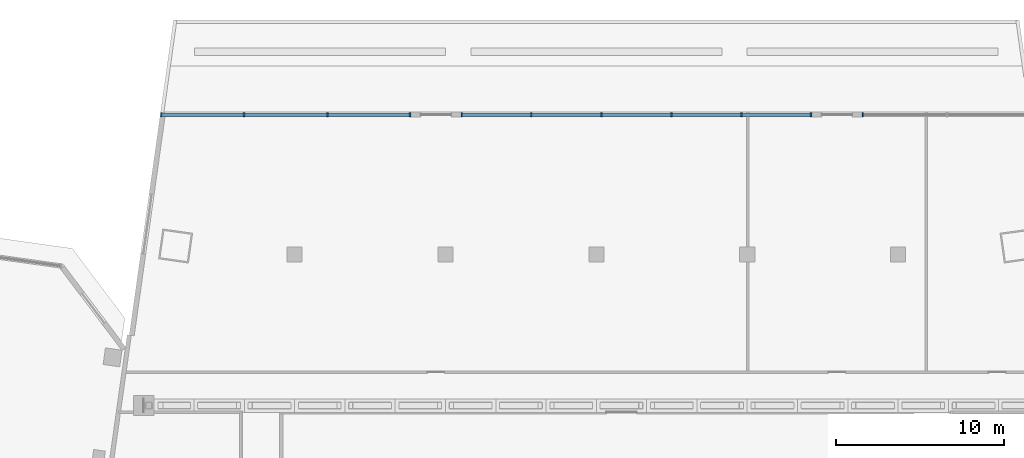
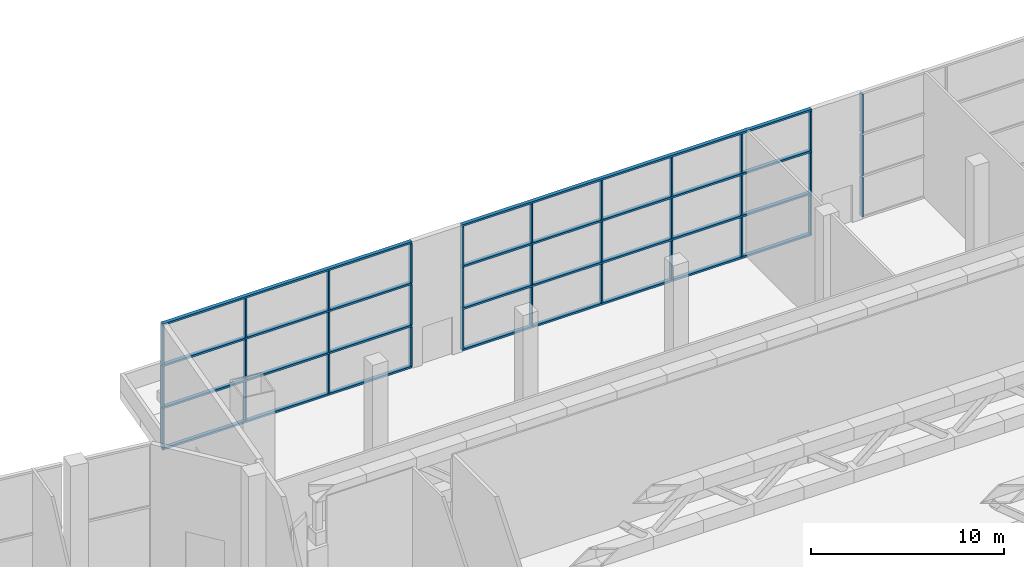
# One storey, part 7 of 31: 41 members, 3 elements without a shape of their own.
"""IFC4 building model written with IfcOpenShell, lengths in metres."""

from ifc_helpers import new_model, si_unit, direction, frame, origin, origin_2d, place, context, subcontext, project, spatial, rectangle, extrude, material, material_profile, profile_set, type_object, element, aggregate, save


model = new_model("IFC4")

# Units and contexts
model_context = context("Model", 3, precision=1e-05, world=origin(), true_north=direction((0.0, 1.0)))
body_context = subcontext(model_context, "Body", "Model", "MODEL_VIEW")
ifc_project = project(units=[si_unit("LENGTHUNIT", "METRE"), si_unit("AREAUNIT", "SQUARE_METRE"), si_unit("VOLUMEUNIT", "CUBIC_METRE"), si_unit("PLANEANGLEUNIT", "RADIAN"), si_unit("MASSUNIT", "GRAM", prefix="KILO")], contexts=[model_context])

# Site, building, storey
site_placement = place(None, origin())
site = spatial("IfcSite", under=ifc_project, at=site_placement, CompositionType="ELEMENT")
building_placement = place(site_placement, origin())
building = spatial("IfcBuilding", under=site, at=building_placement, Name="Mirante Cascada Hotel Towers", CompositionType="ELEMENT")
storey_placement = place(building_placement, frame((0.0, 0.0, 9.0)))
storey = spatial("IfcBuildingStorey", under=building, at=storey_placement, Name="L01", CompositionType="ELEMENT", Elevation=9.0)

# Curtain wall, members
ifc_material_1 = material(Name="Aluminium mullion and transom frame with clear laminated glass", Category="aluminium")
curtain_wall_type = type_object("IfcCurtainWallType", Name="Podium curtain wall ECW3", PredefinedType="NOTDEFINED", material=ifc_material_1)
curtain_wall_1_placement = place(storey_placement, origin())
curtain_wall_1 = element("IfcCurtainWall", 1, at=curtain_wall_1_placement, inside=storey, type_object=curtain_wall_type, Name="Podium curtain wall L01 run 4.1", PredefinedType="NOTDEFINED")
ifc_material_2 = material(Name="Anodised aluminium extrusion", Category="aluminium")
ifc_material_profile_1 = material_profile(ifc_material_2, rectangle(XDim=0.26, YDim=0.08, at=origin_2d()), Name="ECW3 MULLION 80x260")
ifc_profile_set_1 = profile_set([ifc_material_profile_1], Name="Anodised aluminium extrusion")
member_type_1 = type_object("IfcMemberType", Name="ECW3 mullion 80x260", PredefinedType="MULLION", material=ifc_profile_set_1)
member_1_placement = place(storey_placement, frame((15.892, 26.35, 0.12), z_axis=(0.0, 0.0, 1.0), x_axis=(0.0, -1.0, 0.0)))
member_1 = element("IfcMember", 2, at=member_1_placement, type_object=member_type_1, Name="ECW3 mullion 3", PredefinedType="MULLION", context=body_context, shape_type="SweptSolid", body=[
    extrude(rectangle(XDim=0.26, YDim=0.08, at=origin_2d()), origin(), (0.0, 0.0, 1.0), 2.4867),
])
member_2_placement = place(storey_placement, frame((15.892, 26.35, 2.7267), z_axis=(0.0, 0.0, 1.0), x_axis=(0.0, -1.0, 0.0)))
member_2 = element("IfcMember", 3, at=member_2_placement, type_object=member_type_1, Name="ECW3 mullion 3", PredefinedType="MULLION", context=body_context, shape_type="SweptSolid", body=[
    extrude(rectangle(XDim=0.26, YDim=0.08, at=origin_2d()), origin(), (0.0, 0.0, 1.0), 2.5466),
])
member_3_placement = place(storey_placement, frame((15.892, 26.35, 5.3933), z_axis=(0.0, 0.0, 1.0), x_axis=(0.0, -1.0, 0.0)))
member_3 = element("IfcMember", 4, at=member_3_placement, type_object=member_type_1, Name="ECW3 mullion 3", PredefinedType="MULLION", context=body_context, shape_type="SweptSolid", body=[
    extrude(rectangle(XDim=0.26, YDim=0.08, at=origin_2d()), origin(), (0.0, 0.0, 1.0), 2.4867),
])
aggregate(curtain_wall_1, [member_1, member_2, member_3])

curtain_wall_2_placement = place(storey_placement, origin())
curtain_wall_2 = element("IfcCurtainWall", 5, at=curtain_wall_2_placement, inside=storey, type_object=curtain_wall_type, Name="Podium curtain wall L01 run 4.3", PredefinedType="NOTDEFINED")
member_4_placement = place(storey_placement, frame((12.812, 26.35, 0.12), z_axis=(0.0, 0.0, 1.0), x_axis=(0.0, -1.0, 0.0)))
member_4 = element("IfcMember", 6, at=member_4_placement, type_object=member_type_1, Name="ECW3 mullion 1", PredefinedType="MULLION", context=body_context, shape_type="SweptSolid", body=[
    extrude(rectangle(XDim=0.26, YDim=0.08, at=origin_2d()), origin(), (0.0, 0.0, 1.0), 2.4867),
])
member_5_placement = place(storey_placement, frame((12.812, 26.35, 2.7267), z_axis=(0.0, 0.0, 1.0), x_axis=(0.0, -1.0, 0.0)))
member_5 = element("IfcMember", 7, at=member_5_placement, type_object=member_type_1, Name="ECW3 mullion 1", PredefinedType="MULLION", context=body_context, shape_type="SweptSolid", body=[
    extrude(rectangle(XDim=0.26, YDim=0.08, at=origin_2d()), origin(), (0.0, 0.0, 1.0), 2.5466),
])
member_6_placement = place(storey_placement, frame((12.812, 26.35, 5.3933), z_axis=(0.0, 0.0, 1.0), x_axis=(0.0, -1.0, 0.0)))
member_6 = element("IfcMember", 8, at=member_6_placement, type_object=member_type_1, Name="ECW3 mullion 1", PredefinedType="MULLION", context=body_context, shape_type="SweptSolid", body=[
    extrude(rectangle(XDim=0.26, YDim=0.08, at=origin_2d()), origin(), (0.0, 0.0, 1.0), 2.4867),
])
member_7_placement = place(storey_placement, frame((8.668, 26.35, 0.12), z_axis=(0.0, 0.0, 1.0), x_axis=(0.0, -1.0, 0.0)))
member_7 = element("IfcMember", 9, at=member_7_placement, type_object=member_type_1, Name="ECW3 mullion 2", PredefinedType="MULLION", context=body_context, shape_type="SweptSolid", body=[
    extrude(rectangle(XDim=0.26, YDim=0.08, at=origin_2d()), origin(), (0.0, 0.0, 1.0), 2.4867),
])
member_8_placement = place(storey_placement, frame((8.668, 26.35, 2.7267), z_axis=(0.0, 0.0, 1.0), x_axis=(0.0, -1.0, 0.0)))
member_8 = element("IfcMember", 10, at=member_8_placement, type_object=member_type_1, Name="ECW3 mullion 2", PredefinedType="MULLION", context=body_context, shape_type="SweptSolid", body=[
    extrude(rectangle(XDim=0.26, YDim=0.08, at=origin_2d()), origin(), (0.0, 0.0, 1.0), 2.5466),
])
member_9_placement = place(storey_placement, frame((8.668, 26.35, 5.3933), z_axis=(0.0, 0.0, 1.0), x_axis=(0.0, -1.0, 0.0)))
member_9 = element("IfcMember", 11, at=member_9_placement, type_object=member_type_1, Name="ECW3 mullion 2", PredefinedType="MULLION", context=body_context, shape_type="SweptSolid", body=[
    extrude(rectangle(XDim=0.26, YDim=0.08, at=origin_2d()), origin(), (0.0, 0.0, 1.0), 2.4867),
])
member_10_placement = place(storey_placement, frame((4.484, 26.35, 0.12), z_axis=(0.0, 0.0, 1.0), x_axis=(0.0, -1.0, 0.0)))
member_10 = element("IfcMember", 12, at=member_10_placement, type_object=member_type_1, Name="ECW3 mullion 3", PredefinedType="MULLION", context=body_context, shape_type="SweptSolid", body=[
    extrude(rectangle(XDim=0.26, YDim=0.08, at=origin_2d()), origin(), (0.0, 0.0, 1.0), 2.4867),
])
member_11_placement = place(storey_placement, frame((4.484, 26.35, 2.7267), z_axis=(0.0, 0.0, 1.0), x_axis=(0.0, -1.0, 0.0)))
member_11 = element("IfcMember", 13, at=member_11_placement, type_object=member_type_1, Name="ECW3 mullion 3", PredefinedType="MULLION", context=body_context, shape_type="SweptSolid", body=[
    extrude(rectangle(XDim=0.26, YDim=0.08, at=origin_2d()), origin(), (0.0, 0.0, 1.0), 2.5466),
])
member_12_placement = place(storey_placement, frame((4.484, 26.35, 5.3933), z_axis=(0.0, 0.0, 1.0), x_axis=(0.0, -1.0, 0.0)))
member_12 = element("IfcMember", 14, at=member_12_placement, type_object=member_type_1, Name="ECW3 mullion 3", PredefinedType="MULLION", context=body_context, shape_type="SweptSolid", body=[
    extrude(rectangle(XDim=0.26, YDim=0.08, at=origin_2d()), origin(), (0.0, 0.0, 1.0), 2.4867),
])
member_13_placement = place(storey_placement, frame((0.3, 26.35, 0.12), z_axis=(0.0, 0.0, 1.0), x_axis=(0.0, -1.0, 0.0)))
member_13 = element("IfcMember", 15, at=member_13_placement, type_object=member_type_1, Name="ECW3 mullion 4", PredefinedType="MULLION", context=body_context, shape_type="SweptSolid", body=[
    extrude(rectangle(XDim=0.26, YDim=0.08, at=origin_2d()), origin(), (0.0, 0.0, 1.0), 2.4867),
])
member_14_placement = place(storey_placement, frame((0.3, 26.35, 2.7267), z_axis=(0.0, 0.0, 1.0), x_axis=(0.0, -1.0, 0.0)))
member_14 = element("IfcMember", 16, at=member_14_placement, type_object=member_type_1, Name="ECW3 mullion 4", PredefinedType="MULLION", context=body_context, shape_type="SweptSolid", body=[
    extrude(rectangle(XDim=0.26, YDim=0.08, at=origin_2d()), origin(), (0.0, 0.0, 1.0), 2.5466),
])
member_15_placement = place(storey_placement, frame((0.3, 26.35, 5.3933), z_axis=(0.0, 0.0, 1.0), x_axis=(0.0, -1.0, 0.0)))
member_15 = element("IfcMember", 17, at=member_15_placement, type_object=member_type_1, Name="ECW3 mullion 4", PredefinedType="MULLION", context=body_context, shape_type="SweptSolid", body=[
    extrude(rectangle(XDim=0.26, YDim=0.08, at=origin_2d()), origin(), (0.0, 0.0, 1.0), 2.4867),
])
member_16_placement = place(storey_placement, frame((-3.884, 26.35, 0.12), z_axis=(0.0, 0.0, 1.0), x_axis=(0.0, -1.0, 0.0)))
member_16 = element("IfcMember", 18, at=member_16_placement, type_object=member_type_1, Name="ECW3 mullion 5", PredefinedType="MULLION", context=body_context, shape_type="SweptSolid", body=[
    extrude(rectangle(XDim=0.26, YDim=0.08, at=origin_2d()), origin(), (0.0, 0.0, 1.0), 2.4867),
])
member_17_placement = place(storey_placement, frame((-3.884, 26.35, 2.7267), z_axis=(0.0, 0.0, 1.0), x_axis=(0.0, -1.0, 0.0)))
member_17 = element("IfcMember", 19, at=member_17_placement, type_object=member_type_1, Name="ECW3 mullion 5", PredefinedType="MULLION", context=body_context, shape_type="SweptSolid", body=[
    extrude(rectangle(XDim=0.26, YDim=0.08, at=origin_2d()), origin(), (0.0, 0.0, 1.0), 2.5466),
])
member_18_placement = place(storey_placement, frame((-3.884, 26.35, 5.3933), z_axis=(0.0, 0.0, 1.0), x_axis=(0.0, -1.0, 0.0)))
member_18 = element("IfcMember", 20, at=member_18_placement, type_object=member_type_1, Name="ECW3 mullion 5", PredefinedType="MULLION", context=body_context, shape_type="SweptSolid", body=[
    extrude(rectangle(XDim=0.26, YDim=0.08, at=origin_2d()), origin(), (0.0, 0.0, 1.0), 2.4867),
])
member_19_placement = place(storey_placement, frame((-8.028, 26.35, 0.12), z_axis=(0.0, 0.0, 1.0), x_axis=(0.0, -1.0, 0.0)))
member_19 = element("IfcMember", 21, at=member_19_placement, type_object=member_type_1, Name="ECW3 mullion 6", PredefinedType="MULLION", context=body_context, shape_type="SweptSolid", body=[
    extrude(rectangle(XDim=0.26, YDim=0.08, at=origin_2d()), origin(), (0.0, 0.0, 1.0), 2.4867),
])
member_20_placement = place(storey_placement, frame((-8.028, 26.35, 2.7267), z_axis=(0.0, 0.0, 1.0), x_axis=(0.0, -1.0, 0.0)))
member_20 = element("IfcMember", 22, at=member_20_placement, type_object=member_type_1, Name="ECW3 mullion 6", PredefinedType="MULLION", context=body_context, shape_type="SweptSolid", body=[
    extrude(rectangle(XDim=0.26, YDim=0.08, at=origin_2d()), origin(), (0.0, 0.0, 1.0), 2.5466),
])
member_21_placement = place(storey_placement, frame((-8.028, 26.35, 5.3933), z_axis=(0.0, 0.0, 1.0), x_axis=(0.0, -1.0, 0.0)))
member_21 = element("IfcMember", 23, at=member_21_placement, type_object=member_type_1, Name="ECW3 mullion 6", PredefinedType="MULLION", context=body_context, shape_type="SweptSolid", body=[
    extrude(rectangle(XDim=0.26, YDim=0.08, at=origin_2d()), origin(), (0.0, 0.0, 1.0), 2.4867),
])

curtain_wall_3_placement = place(storey_placement, origin())
curtain_wall_3 = element("IfcCurtainWall", 24, at=curtain_wall_3_placement, inside=storey, type_object=curtain_wall_type, Name="Podium curtain wall L01 run 4.5", PredefinedType="NOTDEFINED")
member_22_placement = place(storey_placement, frame((-11.108, 26.35, 0.12), z_axis=(0.0, 0.0, 1.0), x_axis=(0.0, -1.0, 0.0)))
member_22 = element("IfcMember", 25, at=member_22_placement, type_object=member_type_1, Name="ECW3 mullion 1", PredefinedType="MULLION", context=body_context, shape_type="SweptSolid", body=[
    extrude(rectangle(XDim=0.26, YDim=0.08, at=origin_2d()), origin(), (0.0, 0.0, 1.0), 2.4867),
])
member_23_placement = place(storey_placement, frame((-11.108, 26.35, 2.7267), z_axis=(0.0, 0.0, 1.0), x_axis=(0.0, -1.0, 0.0)))
member_23 = element("IfcMember", 26, at=member_23_placement, type_object=member_type_1, Name="ECW3 mullion 1", PredefinedType="MULLION", context=body_context, shape_type="SweptSolid", body=[
    extrude(rectangle(XDim=0.26, YDim=0.08, at=origin_2d()), origin(), (0.0, 0.0, 1.0), 2.5466),
])
member_24_placement = place(storey_placement, frame((-11.108, 26.35, 5.3933), z_axis=(0.0, 0.0, 1.0), x_axis=(0.0, -1.0, 0.0)))
member_24 = element("IfcMember", 27, at=member_24_placement, type_object=member_type_1, Name="ECW3 mullion 1", PredefinedType="MULLION", context=body_context, shape_type="SweptSolid", body=[
    extrude(rectangle(XDim=0.26, YDim=0.08, at=origin_2d()), origin(), (0.0, 0.0, 1.0), 2.4867),
])
member_25_placement = place(storey_placement, frame((-16.0435, 26.35, 0.12), z_axis=(0.0, 0.0, 1.0), x_axis=(0.0, -1.0, 0.0)))
member_25 = element("IfcMember", 28, at=member_25_placement, type_object=member_type_1, Name="ECW3 mullion 2", PredefinedType="MULLION", context=body_context, shape_type="SweptSolid", body=[
    extrude(rectangle(XDim=0.26, YDim=0.08, at=origin_2d()), origin(), (0.0, 0.0, 1.0), 2.4867),
])
member_26_placement = place(storey_placement, frame((-16.0435, 26.35, 2.7267), z_axis=(0.0, 0.0, 1.0), x_axis=(0.0, -1.0, 0.0)))
member_26 = element("IfcMember", 29, at=member_26_placement, type_object=member_type_1, Name="ECW3 mullion 2", PredefinedType="MULLION", context=body_context, shape_type="SweptSolid", body=[
    extrude(rectangle(XDim=0.26, YDim=0.08, at=origin_2d()), origin(), (0.0, 0.0, 1.0), 2.5466),
])
member_27_placement = place(storey_placement, frame((-16.0435, 26.35, 5.3933), z_axis=(0.0, 0.0, 1.0), x_axis=(0.0, -1.0, 0.0)))
member_27 = element("IfcMember", 30, at=member_27_placement, type_object=member_type_1, Name="ECW3 mullion 2", PredefinedType="MULLION", context=body_context, shape_type="SweptSolid", body=[
    extrude(rectangle(XDim=0.26, YDim=0.08, at=origin_2d()), origin(), (0.0, 0.0, 1.0), 2.4867),
])
member_28_placement = place(storey_placement, frame((-21.0191, 26.35, 0.12), z_axis=(0.0, 0.0, 1.0), x_axis=(0.0, -1.0, 0.0)))
member_28 = element("IfcMember", 31, at=member_28_placement, type_object=member_type_1, Name="ECW3 mullion 3", PredefinedType="MULLION", context=body_context, shape_type="SweptSolid", body=[
    extrude(rectangle(XDim=0.26, YDim=0.08, at=origin_2d()), origin(), (0.0, 0.0, 1.0), 2.4867),
])
member_29_placement = place(storey_placement, frame((-21.0191, 26.35, 2.7267), z_axis=(0.0, 0.0, 1.0), x_axis=(0.0, -1.0, 0.0)))
member_29 = element("IfcMember", 32, at=member_29_placement, type_object=member_type_1, Name="ECW3 mullion 3", PredefinedType="MULLION", context=body_context, shape_type="SweptSolid", body=[
    extrude(rectangle(XDim=0.26, YDim=0.08, at=origin_2d()), origin(), (0.0, 0.0, 1.0), 2.5466),
])
member_30_placement = place(storey_placement, frame((-21.0191, 26.35, 5.3933), z_axis=(0.0, 0.0, 1.0), x_axis=(0.0, -1.0, 0.0)))
member_30 = element("IfcMember", 33, at=member_30_placement, type_object=member_type_1, Name="ECW3 mullion 3", PredefinedType="MULLION", context=body_context, shape_type="SweptSolid", body=[
    extrude(rectangle(XDim=0.26, YDim=0.08, at=origin_2d()), origin(), (0.0, 0.0, 1.0), 2.4867),
])
member_31_placement = place(storey_placement, frame((-25.9546, 26.35, 0.12), z_axis=(0.0, 0.0, 1.0), x_axis=(0.0, -1.0, 0.0)))
member_31 = element("IfcMember", 34, at=member_31_placement, type_object=member_type_1, Name="ECW3 mullion 4", PredefinedType="MULLION", context=body_context, shape_type="SweptSolid", body=[
    extrude(rectangle(XDim=0.26, YDim=0.08, at=origin_2d()), origin(), (0.0, 0.0, 1.0), 2.4867),
])
member_32_placement = place(storey_placement, frame((-25.9546, 26.35, 2.7267), z_axis=(0.0, 0.0, 1.0), x_axis=(0.0, -1.0, 0.0)))
member_32 = element("IfcMember", 35, at=member_32_placement, type_object=member_type_1, Name="ECW3 mullion 4", PredefinedType="MULLION", context=body_context, shape_type="SweptSolid", body=[
    extrude(rectangle(XDim=0.26, YDim=0.08, at=origin_2d()), origin(), (0.0, 0.0, 1.0), 2.5466),
])
member_33_placement = place(storey_placement, frame((-25.9546, 26.35, 5.3933), z_axis=(0.0, 0.0, 1.0), x_axis=(0.0, -1.0, 0.0)))
member_33 = element("IfcMember", 36, at=member_33_placement, type_object=member_type_1, Name="ECW3 mullion 4", PredefinedType="MULLION", context=body_context, shape_type="SweptSolid", body=[
    extrude(rectangle(XDim=0.26, YDim=0.08, at=origin_2d()), origin(), (0.0, 0.0, 1.0), 2.4867),
])

# Member
ifc_material_3 = material(Name="Anodised aluminium extrusion", Category="aluminium")
ifc_material_profile_2 = material_profile(ifc_material_3, rectangle(XDim=0.22, YDim=0.12, at=origin_2d()), Name="ECW3 TRANSOM 120x220")
ifc_profile_set_2 = profile_set([ifc_material_profile_2], Name="Anodised aluminium extrusion")
member_type_2 = type_object("IfcMemberType", Name="ECW3 transom 120x220", PredefinedType="USERDEFINED", material=ifc_profile_set_2)
member_34_placement = place(storey_placement, frame((12.852, 26.35, 0.06), z_axis=(-1.0, 0.0, 0.0), x_axis=(0.0, -1.0, 0.0)))
member_34 = element("IfcMember", 37, at=member_34_placement, type_object=member_type_2, Name="ECW3 sill transom", ObjectType="TRANSOM", PredefinedType="USERDEFINED", context=body_context, shape_type="SweptSolid", body=[
    extrude(rectangle(XDim=0.22, YDim=0.12, at=origin_2d()), origin(), (0.0, 0.0, 1.0), 20.92),
])

member_35_placement = place(storey_placement, frame((12.852, 26.35, 2.6667), z_axis=(-1.0, 0.0, 0.0), x_axis=(0.0, -1.0, 0.0)))
member_35 = element("IfcMember", 38, at=member_35_placement, type_object=member_type_2, Name="ECW3 intermediate transom", ObjectType="TRANSOM", PredefinedType="USERDEFINED", context=body_context, shape_type="SweptSolid", body=[
    extrude(rectangle(XDim=0.22, YDim=0.12, at=origin_2d()), origin(), (0.0, 0.0, 1.0), 20.92),
])

member_36_placement = place(storey_placement, frame((12.852, 26.35, 5.3333), z_axis=(-1.0, 0.0, 0.0), x_axis=(0.0, -1.0, 0.0)))
member_36 = element("IfcMember", 39, at=member_36_placement, type_object=member_type_2, Name="ECW3 intermediate transom", ObjectType="TRANSOM", PredefinedType="USERDEFINED", context=body_context, shape_type="SweptSolid", body=[
    extrude(rectangle(XDim=0.22, YDim=0.12, at=origin_2d()), origin(), (0.0, 0.0, 1.0), 20.92),
])

member_37_placement = place(storey_placement, frame((12.852, 26.35, 7.94), z_axis=(-1.0, 0.0, 0.0), x_axis=(0.0, -1.0, 0.0)))
member_37 = element("IfcMember", 40, at=member_37_placement, type_object=member_type_2, Name="ECW3 head transom", ObjectType="TRANSOM", PredefinedType="USERDEFINED", context=body_context, shape_type="SweptSolid", body=[
    extrude(rectangle(XDim=0.22, YDim=0.12, at=origin_2d()), origin(), (0.0, 0.0, 1.0), 20.92),
])

aggregate(curtain_wall_2, [member_34, member_35, member_36, member_37, member_4, member_5, member_6, member_7, member_8, member_9, member_10, member_11, member_12, member_13, member_14, member_15, member_16, member_17, member_18, member_19, member_20, member_21])

member_38_placement = place(storey_placement, frame((-11.068, 26.35, 0.06), z_axis=(-1.0, 0.0, 0.0), x_axis=(0.0, -1.0, 0.0)))
member_38 = element("IfcMember", 41, at=member_38_placement, type_object=member_type_2, Name="ECW3 sill transom", ObjectType="TRANSOM", PredefinedType="USERDEFINED", context=body_context, shape_type="SweptSolid", body=[
    extrude(rectangle(XDim=0.22, YDim=0.12, at=origin_2d()), origin(), (0.0, 0.0, 1.0), 14.9266),
])

member_39_placement = place(storey_placement, frame((-11.068, 26.35, 2.6667), z_axis=(-1.0, 0.0, 0.0), x_axis=(0.0, -1.0, 0.0)))
member_39 = element("IfcMember", 42, at=member_39_placement, type_object=member_type_2, Name="ECW3 intermediate transom", ObjectType="TRANSOM", PredefinedType="USERDEFINED", context=body_context, shape_type="SweptSolid", body=[
    extrude(rectangle(XDim=0.22, YDim=0.12, at=origin_2d()), origin(), (0.0, 0.0, 1.0), 14.9266),
])

member_40_placement = place(storey_placement, frame((-11.068, 26.35, 5.3333), z_axis=(-1.0, 0.0, 0.0), x_axis=(0.0, -1.0, 0.0)))
member_40 = element("IfcMember", 43, at=member_40_placement, type_object=member_type_2, Name="ECW3 intermediate transom", ObjectType="TRANSOM", PredefinedType="USERDEFINED", context=body_context, shape_type="SweptSolid", body=[
    extrude(rectangle(XDim=0.22, YDim=0.12, at=origin_2d()), origin(), (0.0, 0.0, 1.0), 14.9266),
])

member_41_placement = place(storey_placement, frame((-11.068, 26.35, 7.94), z_axis=(-1.0, 0.0, 0.0), x_axis=(0.0, -1.0, 0.0)))
member_41 = element("IfcMember", 44, at=member_41_placement, type_object=member_type_2, Name="ECW3 head transom", ObjectType="TRANSOM", PredefinedType="USERDEFINED", context=body_context, shape_type="SweptSolid", body=[
    extrude(rectangle(XDim=0.22, YDim=0.12, at=origin_2d()), origin(), (0.0, 0.0, 1.0), 14.9266),
])

aggregate(curtain_wall_3, [member_38, member_39, member_40, member_41, member_22, member_23, member_24, member_25, member_26, member_27, member_28, member_29, member_30, member_31, member_32, member_33])

save(model, "model.ifc")
